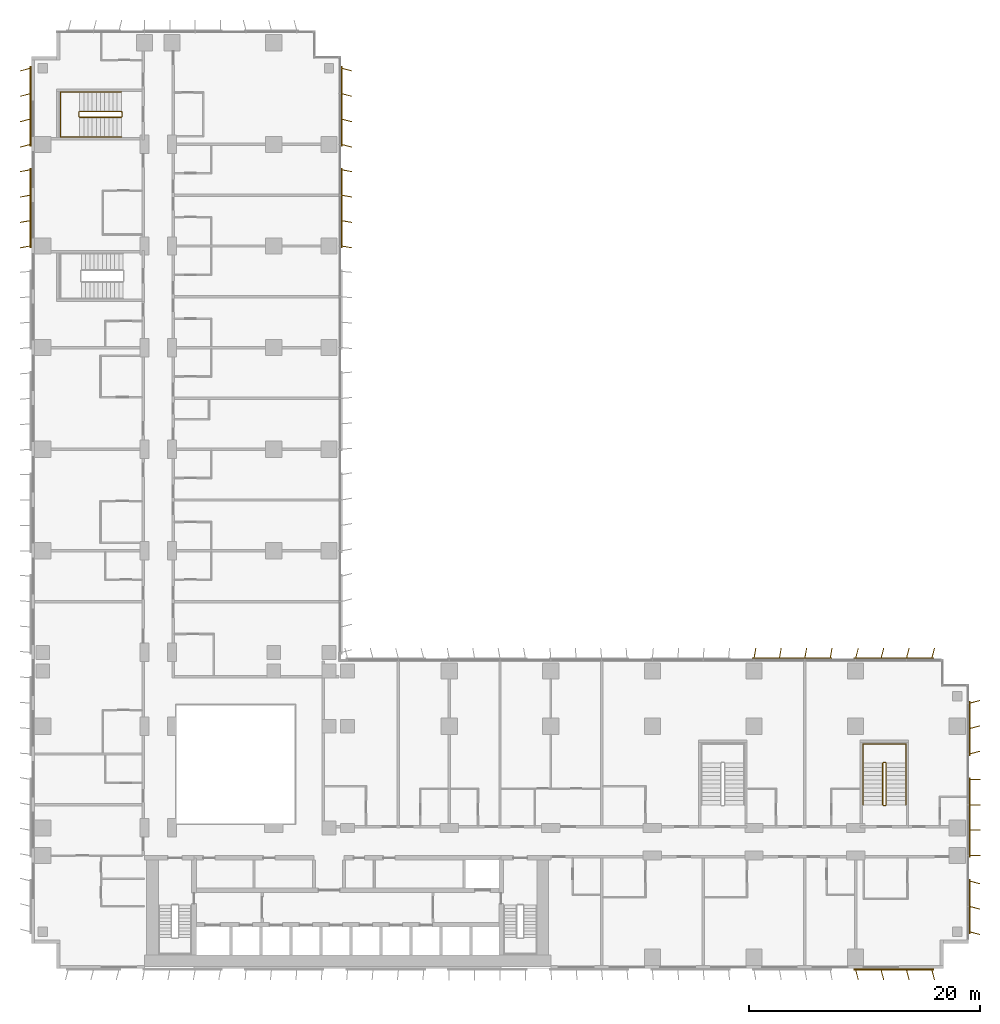
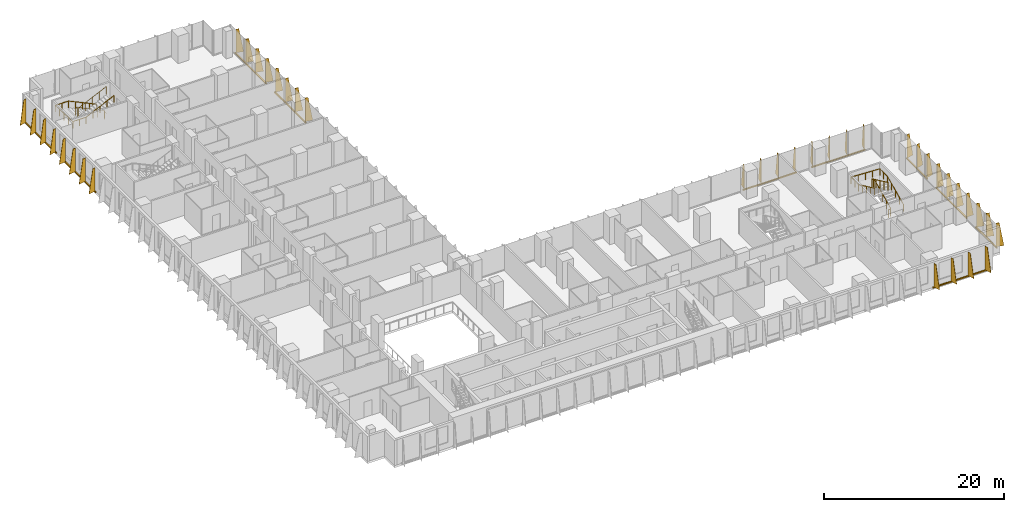
# One storey, part 23 of 24: 10 shading devices, 4 railings.
"""IFC4 building model written with IfcOpenShell, lengths in metres."""

from ifc_helpers import new_model, si_unit, direction, frame, origin, origin_2d, place, context, subcontext, project, spatial, polyline, rectangle, circle, outline, extrude, source, transform, mapped, material, layer, layer_set, type_object, element, save


model = new_model("IFC4")

# Units and contexts
model_context = context("Model", 3, precision=1e-05, world=origin(), true_north=direction((0.0, 1.0)))
body_context = subcontext(model_context, "Body", "Model", "MODEL_VIEW")
ifc_project = project(units=[si_unit("LENGTHUNIT", "METRE"), si_unit("AREAUNIT", "SQUARE_METRE"), si_unit("VOLUMEUNIT", "CUBIC_METRE"), si_unit("PLANEANGLEUNIT", "RADIAN"), si_unit("MASSUNIT", "GRAM", prefix="KILO")], contexts=[model_context])

# Site, building, storey
site_placement = place(None, origin())
site = spatial("IfcSite", under=ifc_project, at=site_placement, CompositionType="ELEMENT")
building_placement = place(site_placement, origin())
building = spatial("IfcBuilding", under=site, at=building_placement, Name="Kemantara Hotel Tower", CompositionType="ELEMENT")
storey_placement = place(building_placement, frame((0.0, 0.0, 56.199951171875)))
storey = spatial("IfcBuildingStorey", under=building, at=storey_placement, Name="L12", CompositionType="ELEMENT", Elevation=56.199951171875)

# Railings
ifc_material_1 = material(Name="Stainless steel balustrade", Category="steel")
railing_type_1 = type_object("IfcRailingType", Name="Stair guard 1100 mm", PredefinedType="GUARDRAIL", material=ifc_material_1)
railing_1_placement = place(storey_placement, frame((73.75, 14.199951171875, 3.699951171875)))
element("IfcRailing", 1, at=railing_1_placement, inside=storey, type_object=railing_type_1, Name="L12 ST5 stair guard 1", PredefinedType="GUARDRAIL", context=body_context, shape_type="SweptSolid", body=[
    extrude(circle(Radius=0.02392578125, at=origin_2d()), frame((0.0, 0.0, 1.076171875), z_axis=(0.0, 0.906029249863, -0.423215073447), x_axis=(-1.0, 0.0, 0.0)), (0.0, 0.0, 1.0), 3.973388671875),
    extrude(circle(Radius=0.02392578125, at=origin_2d()), frame((0.0, 3.60009765625, -0.60546875), z_axis=(0.274243871929, 0.274243871929, -0.92172696468), x_axis=(-0.707106781187, 0.707106781187, 0.0)), (0.0, 0.0, 1.0), 0.1826171875),
    extrude(circle(Radius=0.02392578125, at=origin_2d()), frame((0.050048828125, 3.650146484375, -0.77392578125), z_axis=(1.0, 0.0, 0.0), x_axis=(0.0, 1.0, 0.0)), (0.0, 0.0, 1.0), 0.199951171875),
    extrude(circle(Radius=0.02392578125, at=origin_2d()), frame((0.25, 3.650146484375, -0.77392578125), z_axis=(0.707106781187, -0.707106781187, 0.0), x_axis=(0.707106781187, 0.707106781187, 0.0)), (0.0, 0.0, 1.0), 0.07080078125),
    extrude(circle(Radius=0.02392578125, at=origin_2d()), frame((0.300048828125, 3.60009765625, -0.77392578125), z_axis=(0.0, -0.906005689286, -0.423265508849), x_axis=(1.0, 0.0, 0.0)), (0.0, 0.0, 1.0), 3.9736328125),
    extrude(circle(Radius=0.02392578125, at=origin_2d()), frame((0.300048828125, 0.0, -2.45556640625), z_axis=(-0.274243871929, -0.274243871929, -0.92172696468), x_axis=(0.707106781187, -0.707106781187, 0.0)), (0.0, 0.0, 1.0), 0.1826171875),
    extrude(circle(Radius=0.02392578125, at=origin_2d()), frame((0.25, -0.050048828125, -2.6240234375), z_axis=(-1.0, 0.0, 0.0), x_axis=(0.0, -1.0, 0.0)), (0.0, 0.0, 1.0), 0.199951171875),
    extrude(circle(Radius=0.02099609375, at=origin_2d()), origin(), (0.0, 0.0, 1.0), 1.052001953125),
    extrude(circle(Radius=0.02099609375, at=origin_2d()), frame((0.0, 0.89990234375, -0.42041015625)), (0.0, 0.0, 1.0), 1.052001953125),
    extrude(circle(Radius=0.02099609375, at=origin_2d()), frame((0.0, 1.800048828125, -0.8408203125)), (0.0, 0.0, 1.0), 1.052001953125),
    extrude(circle(Radius=0.02099609375, at=origin_2d()), frame((0.0, 2.7001953125, -1.26123046875)), (0.0, 0.0, 1.0), 1.052001953125),
    extrude(circle(Radius=0.02099609375, at=origin_2d()), frame((0.0, 3.60009765625, -1.681640625)), (0.0, 0.0, 1.0), 1.052001953125),
    extrude(circle(Radius=0.02099609375, at=origin_2d()), frame((0.050048828125, 3.650146484375, -1.849853515625)), (0.0, 0.0, 1.0), 1.052001953125),
    extrude(circle(Radius=0.02099609375, at=origin_2d()), frame((0.25, 3.650146484375, -1.849853515625)), (0.0, 0.0, 1.0), 1.052001953125),
    extrude(circle(Radius=0.02099609375, at=origin_2d()), frame((0.300048828125, 3.60009765625, -1.849853515625)), (0.0, 0.0, 1.0), 1.052001953125),
    extrude(circle(Radius=0.02099609375, at=origin_2d()), frame((0.300048828125, 2.7001953125, -2.270263671875)), (0.0, 0.0, 1.0), 1.052001953125),
    extrude(circle(Radius=0.02099609375, at=origin_2d()), frame((0.300048828125, 1.800048828125, -2.69091796875)), (0.0, 0.0, 1.0), 1.052001953125),
    extrude(circle(Radius=0.02099609375, at=origin_2d()), frame((0.300048828125, 0.89990234375, -3.111328125)), (0.0, 0.0, 1.0), 1.052001953125),
    extrude(circle(Radius=0.02099609375, at=origin_2d()), frame((0.300048828125, 0.0, -3.53173828125)), (0.0, 0.0, 1.0), 1.052001953125),
    extrude(circle(Radius=0.02099609375, at=origin_2d()), frame((0.25, -0.050048828125, -3.699951171875)), (0.0, 0.0, 1.0), 1.052001953125),
    extrude(circle(Radius=0.02099609375, at=origin_2d()), frame((0.050048828125, -0.050048828125, -3.699951171875)), (0.0, 0.0, 1.0), 1.052001953125),
])
railing_2_placement = place(storey_placement, frame((7.800048828125, 73.75, 3.699951171875)))
element("IfcRailing", 2, at=railing_2_placement, inside=storey, type_object=railing_type_1, Name="L12 ST6 stair guard 1", PredefinedType="GUARDRAIL", context=body_context, shape_type="SweptSolid", body=[
    extrude(circle(Radius=0.02392578125, at=origin_2d()), frame((0.0, 0.0, 1.076171875), z_axis=(-0.906029249863, 0.0, -0.423215073447), x_axis=(0.0, -1.0, 0.0)), (0.0, 0.0, 1.0), 3.973388671875),
    extrude(circle(Radius=0.02392578125, at=origin_2d()), frame((-3.60009765625, 0.0, -0.60546875), z_axis=(-0.274243871929, 0.274243871929, -0.92172696468), x_axis=(-0.707106781187, -0.707106781187, 0.0)), (0.0, 0.0, 1.0), 0.1826171875),
    extrude(circle(Radius=0.02392578125, at=origin_2d()), frame((-3.650146484375, 0.050048828125, -0.77392578125), z_axis=(0.0, 1.0, 0.0), x_axis=(-1.0, 0.0, 0.0)), (0.0, 0.0, 1.0), 0.39990234375),
    extrude(circle(Radius=0.02392578125, at=origin_2d()), frame((-3.650146484375, 0.449951171875, -0.77392578125), z_axis=(0.707106781187, 0.707106781187, 0.0), x_axis=(-0.707106781187, 0.707106781187, 0.0)), (0.0, 0.0, 1.0), 0.07080078125),
    extrude(circle(Radius=0.02392578125, at=origin_2d()), frame((-3.60009765625, 0.5, -0.77392578125), z_axis=(0.906005689286, 0.0, -0.423265508849), x_axis=(0.0, 1.0, 0.0)), (0.0, 0.0, 1.0), 3.9736328125),
    extrude(circle(Radius=0.02392578125, at=origin_2d()), frame((0.0, 0.5, -2.45556640625), z_axis=(0.274243871929, -0.274243871929, -0.92172696468), x_axis=(0.707106781187, 0.707106781187, 0.0)), (0.0, 0.0, 1.0), 0.1826171875),
    extrude(circle(Radius=0.02392578125, at=origin_2d()), frame((0.050048828125, 0.449951171875, -2.6240234375), z_axis=(0.0, -1.0, 0.0), x_axis=(1.0, 0.0, 0.0)), (0.0, 0.0, 1.0), 0.39990234375),
    extrude(circle(Radius=0.02099609375, at=origin_2d()), origin(), (0.0, 0.0, 1.0), 1.052001953125),
    extrude(circle(Radius=0.02099609375, at=origin_2d()), frame((-0.89990234375, 0.0, -0.42041015625)), (0.0, 0.0, 1.0), 1.052001953125),
    extrude(circle(Radius=0.02099609375, at=origin_2d()), frame((-1.800048828125, 0.0, -0.8408203125)), (0.0, 0.0, 1.0), 1.052001953125),
    extrude(circle(Radius=0.02099609375, at=origin_2d()), frame((-2.7001953125, 0.0, -1.26123046875)), (0.0, 0.0, 1.0), 1.052001953125),
    extrude(circle(Radius=0.02099609375, at=origin_2d()), frame((-3.60009765625, 0.0, -1.681640625)), (0.0, 0.0, 1.0), 1.052001953125),
    extrude(circle(Radius=0.02099609375, at=origin_2d()), frame((-3.650146484375, 0.050048828125, -1.849853515625)), (0.0, 0.0, 1.0), 1.052001953125),
    extrude(circle(Radius=0.02099609375, at=origin_2d()), frame((-3.650146484375, 0.449951171875, -1.849853515625)), (0.0, 0.0, 1.0), 1.052001953125),
    extrude(circle(Radius=0.02099609375, at=origin_2d()), frame((-3.60009765625, 0.5, -1.849853515625)), (0.0, 0.0, 1.0), 1.052001953125),
    extrude(circle(Radius=0.02099609375, at=origin_2d()), frame((-2.7001953125, 0.5, -2.270263671875)), (0.0, 0.0, 1.0), 1.052001953125),
    extrude(circle(Radius=0.02099609375, at=origin_2d()), frame((-1.800048828125, 0.5, -2.69091796875)), (0.0, 0.0, 1.0), 1.052001953125),
    extrude(circle(Radius=0.02099609375, at=origin_2d()), frame((-0.89990234375, 0.5, -3.111328125)), (0.0, 0.0, 1.0), 1.052001953125),
    extrude(circle(Radius=0.02099609375, at=origin_2d()), frame((0.0, 0.5, -3.53173828125)), (0.0, 0.0, 1.0), 1.052001953125),
    extrude(circle(Radius=0.02099609375, at=origin_2d()), frame((0.050048828125, 0.449951171875, -3.699951171875)), (0.0, 0.0, 1.0), 1.052001953125),
    extrude(circle(Radius=0.02099609375, at=origin_2d()), frame((0.050048828125, 0.050048828125, -3.699951171875)), (0.0, 0.0, 1.0), 1.052001953125),
])
railing_type_2 = type_object("IfcRailingType", Name="Stair handrail 900 mm", PredefinedType="HANDRAIL", material=ifc_material_1)
railing_3_placement = place(storey_placement, frame((75.75, 14.199951171875, 0.168212890625)))
element("IfcRailing", 3, at=railing_3_placement, inside=storey, type_object=railing_type_2, Name="L12 ST5 stair handrail 1", PredefinedType="HANDRAIL", context=body_context, shape_type="SweptSolid", body=[
    extrude(circle(Radius=0.02392578125, at=origin_2d()), frame((0.0, 0.0, 0.8759765625), z_axis=(0.0, 0.906005689286, 0.423265508849), x_axis=(-1.0, 0.0, 0.0)), (0.0, 0.0, 1.0), 3.9736328125),
    extrude(circle(Radius=0.02392578125, at=origin_2d()), frame((0.0, 3.60009765625, 2.5576171875), z_axis=(0.0, 1.0, 0.0), x_axis=(-1.0, 0.0, 0.0)), (0.0, 0.0, 1.0), 1.679931640625),
    extrude(circle(Radius=0.02392578125, at=origin_2d()), frame((0.0, 5.280029296875, 2.5576171875), z_axis=(-0.998968132438, 0.0, 0.045416631029), x_axis=(0.0, -1.0, 0.0)), (0.0, 0.0, 1.0), 3.703857421875),
    extrude(circle(Radius=0.02392578125, at=origin_2d()), frame((-3.699951171875, 5.280029296875, 2.72607421875), z_axis=(0.0, -1.0, 0.0), x_axis=(1.0, 0.0, 0.0)), (0.0, 0.0, 1.0), 1.679931640625),
    extrude(circle(Radius=0.02392578125, at=origin_2d()), frame((-3.699951171875, 3.60009765625, 2.72607421875), z_axis=(0.0, -0.906029249863, 0.423215073447), x_axis=(1.0, 0.0, 0.0)), (0.0, 0.0, 1.0), 3.973388671875),
    extrude(circle(Radius=0.02099609375, at=origin_2d()), origin(), (0.0, 0.0, 1.0), 0.851806640625),
    extrude(circle(Radius=0.02099609375, at=origin_2d()), frame((0.0, 0.89990234375, 0.42041015625)), (0.0, 0.0, 1.0), 0.851806640625),
    extrude(circle(Radius=0.02099609375, at=origin_2d()), frame((0.0, 1.800048828125, 0.8408203125)), (0.0, 0.0, 1.0), 0.851806640625),
    extrude(circle(Radius=0.02099609375, at=origin_2d()), frame((0.0, 2.7001953125, 1.261474609375)), (0.0, 0.0, 1.0), 0.851806640625),
    extrude(circle(Radius=0.02099609375, at=origin_2d()), frame((0.0, 3.60009765625, 1.681884765625)), (0.0, 0.0, 1.0), 0.851806640625),
    extrude(circle(Radius=0.02099609375, at=origin_2d()), frame((0.0, 4.43994140625, 1.681884765625)), (0.0, 0.0, 1.0), 0.851806640625),
    extrude(circle(Radius=0.02099609375, at=origin_2d()), frame((0.0, 5.280029296875, 1.681884765625)), (0.0, 0.0, 1.0), 0.851806640625),
    extrude(circle(Radius=0.02099609375, at=origin_2d()), frame((-0.925048828125, 5.280029296875, 1.723876953125)), (0.0, 0.0, 1.0), 0.851806640625),
    extrude(circle(Radius=0.02099609375, at=origin_2d()), frame((-1.85009765625, 5.280029296875, 1.76611328125)), (0.0, 0.0, 1.0), 0.851806640625),
    extrude(circle(Radius=0.02099609375, at=origin_2d()), frame((-2.77490234375, 5.280029296875, 1.80810546875)), (0.0, 0.0, 1.0), 0.851806640625),
    extrude(circle(Radius=0.02099609375, at=origin_2d()), frame((-3.699951171875, 5.280029296875, 1.85009765625)), (0.0, 0.0, 1.0), 0.851806640625),
    extrude(circle(Radius=0.02099609375, at=origin_2d()), frame((-3.699951171875, 4.43994140625, 1.85009765625)), (0.0, 0.0, 1.0), 0.851806640625),
    extrude(circle(Radius=0.02099609375, at=origin_2d()), frame((-3.699951171875, 3.60009765625, 1.85009765625)), (0.0, 0.0, 1.0), 0.851806640625),
    extrude(circle(Radius=0.02099609375, at=origin_2d()), frame((-3.699951171875, 2.7001953125, 2.2705078125)), (0.0, 0.0, 1.0), 0.851806640625),
    extrude(circle(Radius=0.02099609375, at=origin_2d()), frame((-3.699951171875, 1.800048828125, 2.69091796875)), (0.0, 0.0, 1.0), 0.851806640625),
    extrude(circle(Radius=0.02099609375, at=origin_2d()), frame((-3.699951171875, 0.89990234375, 3.111328125)), (0.0, 0.0, 1.0), 0.851806640625),
    extrude(circle(Radius=0.02099609375, at=origin_2d()), frame((-3.699951171875, 0.0, 3.53173828125)), (0.0, 0.0, 1.0), 0.851806640625),
])
railing_4_placement = place(storey_placement, frame((7.800048828125, 75.949951171875, 0.168212890625)))
element("IfcRailing", 4, at=railing_4_placement, inside=storey, type_object=railing_type_2, Name="L12 ST6 stair handrail 1", PredefinedType="HANDRAIL", context=body_context, shape_type="SweptSolid", body=[
    extrude(circle(Radius=0.02392578125, at=origin_2d()), frame((0.0, 0.0, 0.8759765625), z_axis=(-0.906005689286, 0.0, 0.423265508849), x_axis=(0.0, -1.0, 0.0)), (0.0, 0.0, 1.0), 3.9736328125),
    extrude(circle(Radius=0.02392578125, at=origin_2d()), frame((-3.60009765625, 0.0, 2.5576171875), z_axis=(-1.0, 0.0, 0.0), x_axis=(0.0, -1.0, 0.0)), (0.0, 0.0, 1.0), 1.679931640625),
    extrude(circle(Radius=0.02392578125, at=origin_2d()), frame((-5.280029296875, 0.0, 2.5576171875), z_axis=(0.0, -0.999071085748, 0.043092523981), x_axis=(1.0, 0.0, 0.0)), (0.0, 0.0, 1.0), 3.903564453125),
    extrude(circle(Radius=0.02392578125, at=origin_2d()), frame((-5.280029296875, -3.89990234375, 2.72607421875), z_axis=(1.0, 0.0, 0.0), x_axis=(0.0, 1.0, 0.0)), (0.0, 0.0, 1.0), 1.679931640625),
    extrude(circle(Radius=0.02392578125, at=origin_2d()), frame((-3.60009765625, -3.89990234375, 2.72607421875), z_axis=(0.906029249863, 0.0, 0.423215073447), x_axis=(0.0, 1.0, 0.0)), (0.0, 0.0, 1.0), 3.973388671875),
    extrude(circle(Radius=0.02099609375, at=origin_2d()), origin(), (0.0, 0.0, 1.0), 0.851806640625),
    extrude(circle(Radius=0.02099609375, at=origin_2d()), frame((-0.89990234375, 0.0, 0.42041015625)), (0.0, 0.0, 1.0), 0.851806640625),
    extrude(circle(Radius=0.02099609375, at=origin_2d()), frame((-1.800048828125, 0.0, 0.8408203125)), (0.0, 0.0, 1.0), 0.851806640625),
    extrude(circle(Radius=0.02099609375, at=origin_2d()), frame((-2.7001953125, 0.0, 1.261474609375)), (0.0, 0.0, 1.0), 0.851806640625),
    extrude(circle(Radius=0.02099609375, at=origin_2d()), frame((-3.60009765625, 0.0, 1.681884765625)), (0.0, 0.0, 1.0), 0.851806640625),
    extrude(circle(Radius=0.02099609375, at=origin_2d()), frame((-4.43994140625, 0.0, 1.681884765625)), (0.0, 0.0, 1.0), 0.851806640625),
    extrude(circle(Radius=0.02099609375, at=origin_2d()), frame((-5.280029296875, 0.0, 1.681884765625)), (0.0, 0.0, 1.0), 0.851806640625),
    extrude(circle(Radius=0.02099609375, at=origin_2d()), frame((-5.280029296875, -0.97509765625, 1.723876953125)), (0.0, 0.0, 1.0), 0.851806640625),
    extrude(circle(Radius=0.02099609375, at=origin_2d()), frame((-5.280029296875, -1.949951171875, 1.76611328125)), (0.0, 0.0, 1.0), 0.851806640625),
    extrude(circle(Radius=0.02099609375, at=origin_2d()), frame((-5.280029296875, -2.9248046875, 1.80810546875)), (0.0, 0.0, 1.0), 0.851806640625),
    extrude(circle(Radius=0.02099609375, at=origin_2d()), frame((-5.280029296875, -3.89990234375, 1.85009765625)), (0.0, 0.0, 1.0), 0.851806640625),
    extrude(circle(Radius=0.02099609375, at=origin_2d()), frame((-4.43994140625, -3.89990234375, 1.85009765625)), (0.0, 0.0, 1.0), 0.851806640625),
    extrude(circle(Radius=0.02099609375, at=origin_2d()), frame((-3.60009765625, -3.89990234375, 1.85009765625)), (0.0, 0.0, 1.0), 0.851806640625),
    extrude(circle(Radius=0.02099609375, at=origin_2d()), frame((-2.7001953125, -3.89990234375, 2.2705078125)), (0.0, 0.0, 1.0), 0.851806640625),
    extrude(circle(Radius=0.02099609375, at=origin_2d()), frame((-1.800048828125, -3.89990234375, 2.69091796875)), (0.0, 0.0, 1.0), 0.851806640625),
    extrude(circle(Radius=0.02099609375, at=origin_2d()), frame((-0.89990234375, -3.89990234375, 3.111328125)), (0.0, 0.0, 1.0), 0.851806640625),
    extrude(circle(Radius=0.02099609375, at=origin_2d()), frame((0.0, -3.89990234375, 3.53173828125)), (0.0, 0.0, 1.0), 0.851806640625),
])

# Shading devices
ifc_material_2 = material(Name="Perforated aluminium plate 4 mm bronze anodised", Category="aluminium")
ifc_layer_1 = layer(ifc_material_2, 0.0400390625)
ifc_layer_set_1 = layer_set([ifc_layer_1], Name="Perforated aluminium plate 4 mm bronze anodised")
shading_device_type_1 = type_object("IfcShadingDeviceType", Name="SCREEN FIN CASSETTE, 3 BLADES AT -15.0 DEG, 3200 HIGH", PredefinedType="USERDEFINED", material=ifc_layer_set_1)
shared_shape_1 = source(origin(), body_context, "Body", "SweptSolid", [
    extrude(rectangle(XDim=4.699951171875, YDim=0.14990234375, at=origin_2d()), frame((2.199951171875, -0.074951171875, -0.14990234375), z_axis=(0.0, 0.0, 1.0), x_axis=(1.0, 0.0, 0.0)), (0.0, 0.0, 1.0), 0.14990234375),
    extrude(outline(polyline([(0.0, 0.0), (0.89990234375, 0.0), (0.35009765625, 3.199951171875), (0.0, 3.199951171875), (0.0, 0.0)])), frame((0.019287109375, -0.080078125, 0.0), z_axis=(-0.966437683387, 0.256901156343, 0.0), x_axis=(-0.256901156343, -0.966437683387, 0.0)), (0.0, 0.0, 1.0), 0.039794921875),
    extrude(outline(polyline([(0.0, 0.0), (0.89990234375, 0.0), (0.35009765625, 3.199951171875), (0.0, 3.199951171875), (0.0, 0.0)])), frame((2.21923828125, -0.080078125, 0.0), z_axis=(-0.966437683387, 0.256901156343, 0.0), x_axis=(-0.256901156343, -0.966437683387, 0.0)), (0.0, 0.0, 1.0), 0.039794921875),
    extrude(outline(polyline([(0.0, 0.0), (0.89990234375, 0.0), (0.35009765625, 3.199951171875), (0.0, 3.199951171875), (0.0, 0.0)])), frame((4.41943359375, -0.080078125, 0.0), z_axis=(-0.966837822169, 0.255391122837, 0.0), x_axis=(-0.255391122837, -0.966837822169, 0.0)), (0.0, 0.0, 1.0), 0.0400390625),
])
shading_device_1_placement = place(storey_placement, frame((81.199951171875, 3.199951171875, 0.10009765625), z_axis=(0.0, 0.0, 1.0), x_axis=(0.0, 1.0, 0.0)))
element("IfcShadingDevice", 5, at=shading_device_1_placement, inside=storey, type_object=shading_device_type_1, Name="SCREEN FIN CASSETTE L12 T1-R04-1", ObjectType="SCREEN FIN", PredefinedType="USERDEFINED", context=body_context, shape_type="MappedRepresentation", body=[
    mapped(shared_shape_1, transform((0.0, 0.0, 0.0))),
])
ifc_layer_2 = layer(ifc_material_2, 0.0400390625)
ifc_layer_set_2 = layer_set([ifc_layer_2], Name="Perforated aluminium plate 4 mm bronze anodised")
shading_device_type_2 = type_object("IfcShadingDeviceType", Name="SCREEN FIN CASSETTE, 4 BLADES AT -10.0 DEG, 3200 HIGH", PredefinedType="USERDEFINED", material=ifc_layer_set_2)
shared_shape_2 = source(origin(), body_context, "Body", "SweptSolid", [
    extrude(rectangle(XDim=6.89990234375, YDim=0.14990234375, at=origin_2d()), frame((3.300048828125, -0.074951171875, -0.14990234375), z_axis=(0.0, 0.0, 1.0), x_axis=(1.0, 0.0, 0.0)), (0.0, 0.0, 1.0), 0.14990234375),
    extrude(outline(polyline([(0.0, 0.0), (0.89990234375, 0.0), (0.35009765625, 3.199951171875), (0.0, 3.199951171875), (0.0, 0.0)])), frame((0.019775390625, -0.078369140625, 0.0), z_axis=(-0.985389793052, 0.170314285219, 0.0), x_axis=(-0.170314285219, -0.985389793052, 0.0)), (0.0, 0.0, 1.0), 0.0400390625),
    extrude(outline(polyline([(0.0, 0.0), (0.89990234375, 0.0), (0.35009765625, 3.199951171875), (0.0, 3.199951171875), (0.0, 0.0)])), frame((2.2197265625, -0.078369140625, 0.0), z_axis=(-0.98521175482, 0.171341174751, 0.0), x_axis=(-0.171341174751, -0.98521175482, 0.0)), (0.0, 0.0, 1.0), 0.039794921875),
    extrude(outline(polyline([(0.0, 0.0), (0.89990234375, 0.0), (0.35009765625, 3.199951171875), (0.0, 3.199951171875), (0.0, 0.0)])), frame((4.419677734375, -0.078369140625, 0.0), z_axis=(-0.98521175482, 0.171341174751, 0.0), x_axis=(-0.171341174751, -0.98521175482, 0.0)), (0.0, 0.0, 1.0), 0.039794921875),
    extrude(outline(polyline([(0.0, 0.0), (0.89990234375, 0.0), (0.35009765625, 3.199951171875), (0.0, 3.199951171875), (0.0, 0.0)])), frame((6.61962890625, -0.078369140625, 0.0), z_axis=(-0.98521175482, 0.171341174751, 0.0), x_axis=(-0.171341174751, -0.98521175482, 0.0)), (0.0, 0.0, 1.0), 0.039794921875),
])
for number, where, z_axis, x_axis, name in (
    (6, (69.199951171875, 26.800048828125, 0.10009765625), (0.0, 0.0, 1.0), (-1.0, 0.0, 0.0), "SCREEN FIN CASSETTE L12 T1-R07-2"),
    (7, (26.800048828125, 62.60009765625, 0.10009765625), (0.0, 0.0, 1.0), (0.0, 1.0, 0.0), "SCREEN FIN CASSETTE L12 T1-R08-5"),
):
    element("IfcShadingDevice", number, at=place(storey_placement, frame(where, z_axis=z_axis, x_axis=x_axis)), inside=storey, type_object=shading_device_type_2, Name=name, ObjectType="SCREEN FIN", PredefinedType="USERDEFINED", context=body_context, shape_type="MappedRepresentation", body=[
        mapped(shared_shape_2, transform((0.0, 0.0, 0.0))),
    ])
ifc_layer_3 = layer(ifc_material_2, 0.0400390625)
ifc_layer_set_3 = layer_set([ifc_layer_3], Name="Perforated aluminium plate 4 mm bronze anodised")
shading_device_type_3 = type_object("IfcShadingDeviceType", Name="SCREEN FIN CASSETTE, 4 BLADES AT +0.0 DEG, 3200 HIGH", PredefinedType="USERDEFINED", material=ifc_layer_set_3)
shared_shape_3 = source(origin(), body_context, "Body", "SweptSolid", [
    extrude(rectangle(XDim=6.89990234375, YDim=0.14990234375, at=origin_2d()), frame((3.300048828125, -0.074951171875, -0.14990234375), z_axis=(0.0, 0.0, 1.0), x_axis=(1.0, 0.0, 0.0)), (0.0, 0.0, 1.0), 0.14990234375),
    extrude(outline(polyline([(0.0, 0.0), (0.89990234375, 0.0), (0.35009765625, 3.199951171875), (0.0, 3.199951171875), (0.0, 0.0)])), frame((0.02001953125, -0.074951171875, 0.0), z_axis=(-1.0, 0.0, 0.0), x_axis=(0.0, -1.0, 0.0)), (0.0, 0.0, 1.0), 0.0400390625),
    extrude(outline(polyline([(0.0, 0.0), (0.89990234375, 0.0), (0.35009765625, 3.199951171875), (0.0, 3.199951171875), (0.0, 0.0)])), frame((2.219970703125, -0.074951171875, 0.0), z_axis=(-1.0, 0.0, 0.0), x_axis=(0.0, -1.0, 0.0)), (0.0, 0.0, 1.0), 0.0400390625),
    extrude(outline(polyline([(0.0, 0.0), (0.89990234375, 0.0), (0.35009765625, 3.199951171875), (0.0, 3.199951171875), (0.0, 0.0)])), frame((4.419921875, -0.074951171875, 0.0), z_axis=(-1.0, 0.0, 0.0), x_axis=(0.0, -1.0, 0.0)), (0.0, 0.0, 1.0), 0.0400390625),
    extrude(outline(polyline([(0.0, 0.0), (0.89990234375, 0.0), (0.35009765625, 3.199951171875), (0.0, 3.199951171875), (0.0, 0.0)])), frame((6.6201171875, -0.074951171875, 0.0), z_axis=(-1.0, 0.0, 0.0), x_axis=(0.0, -1.0, 0.0)), (0.0, 0.0, 1.0), 0.0400390625),
])
shading_device_2_placement = place(storey_placement, frame((81.199951171875, 9.800048828125, 0.10009765625), z_axis=(0.0, 0.0, 1.0), x_axis=(0.0, 1.0, 0.0)))
element("IfcShadingDevice", 8, at=shading_device_2_placement, inside=storey, type_object=shading_device_type_3, Name="SCREEN FIN CASSETTE L12 T1-R04-2", ObjectType="SCREEN FIN", PredefinedType="USERDEFINED", context=body_context, shape_type="MappedRepresentation", body=[
    mapped(shared_shape_3, transform((0.0, 0.0, 0.0))),
])
ifc_layer_4 = layer(ifc_material_2, 0.0400390625)
ifc_layer_set_4 = layer_set([ifc_layer_4], Name="Perforated aluminium plate 4 mm bronze anodised")
shading_device_type_4 = type_object("IfcShadingDeviceType", Name="SCREEN FIN CASSETTE, 4 BLADES AT +10.0 DEG, 3200 HIGH", PredefinedType="USERDEFINED", material=ifc_layer_set_4)
shared_shape_4 = source(origin(), body_context, "Body", "SweptSolid", [
    extrude(rectangle(XDim=6.89990234375, YDim=0.14990234375, at=origin_2d()), frame((3.300048828125, -0.074951171875, -0.14990234375), z_axis=(0.0, 0.0, 1.0), x_axis=(1.0, 0.0, 0.0)), (0.0, 0.0, 1.0), 0.14990234375),
    extrude(outline(polyline([(0.0, 0.0), (0.89990234375, 0.0), (0.35009765625, 3.199951171875), (0.0, 3.199951171875), (0.0, 0.0)])), frame((0.019775390625, -0.071533203125, 0.0), z_axis=(-0.985389793052, -0.170314285219, 0.0), x_axis=(0.170314285219, -0.985389793052, 0.0)), (0.0, 0.0, 1.0), 0.0400390625),
    extrude(outline(polyline([(0.0, 0.0), (0.89990234375, 0.0), (0.35009765625, 3.199951171875), (0.0, 3.199951171875), (0.0, 0.0)])), frame((2.2197265625, -0.071533203125, 0.0), z_axis=(-0.98521175482, -0.171341174751, 0.0), x_axis=(0.171341174751, -0.98521175482, 0.0)), (0.0, 0.0, 1.0), 0.039794921875),
    extrude(outline(polyline([(0.0, 0.0), (0.89990234375, 0.0), (0.35009765625, 3.199951171875), (0.0, 3.199951171875), (0.0, 0.0)])), frame((4.419677734375, -0.071533203125, 0.0), z_axis=(-0.98521175482, -0.171341174751, 0.0), x_axis=(0.171341174751, -0.98521175482, 0.0)), (0.0, 0.0, 1.0), 0.039794921875),
    extrude(outline(polyline([(0.0, 0.0), (0.89990234375, 0.0), (0.35009765625, 3.199951171875), (0.0, 3.199951171875), (0.0, 0.0)])), frame((6.61962890625, -0.071533203125, 0.0), z_axis=(-0.98521175482, -0.171341174751, 0.0), x_axis=(0.171341174751, -0.98521175482, 0.0)), (0.0, 0.0, 1.0), 0.039794921875),
])
shading_device_3_placement = place(storey_placement, frame((0.0, 69.199951171875, 0.10009765625), z_axis=(0.0, 0.0, 1.0), x_axis=(0.0, -1.0, 0.0)))
element("IfcShadingDevice", 9, at=shading_device_3_placement, inside=storey, type_object=shading_device_type_4, Name="SCREEN FIN CASSETTE L12 T1-R14-2", ObjectType="SCREEN FIN", PredefinedType="USERDEFINED", context=body_context, shape_type="MappedRepresentation", body=[
    mapped(shared_shape_4, transform((0.0, 0.0, 0.0))),
])
ifc_layer_5 = layer(ifc_material_2, 0.0400390625)
ifc_layer_set_5 = layer_set([ifc_layer_5], Name="Perforated aluminium plate 4 mm bronze anodised")
shading_device_type_5 = type_object("IfcShadingDeviceType", Name="SCREEN FIN CASSETTE, 4 BLADES AT +15.0 DEG, 3200 HIGH", PredefinedType="USERDEFINED", material=ifc_layer_set_5)
shared_shape_5 = source(origin(), body_context, "Body", "SweptSolid", [
    extrude(rectangle(XDim=6.89990234375, YDim=0.14990234375, at=origin_2d()), frame((3.300048828125, -0.074951171875, -0.14990234375), z_axis=(0.0, 0.0, 1.0), x_axis=(1.0, 0.0, 0.0)), (0.0, 0.0, 1.0), 0.14990234375),
    extrude(outline(polyline([(0.0, 0.0), (0.89990234375, 0.0), (0.35009765625, 3.199951171875), (0.0, 3.199951171875), (0.0, 0.0)])), frame((0.019287109375, -0.06982421875, 0.0), z_axis=(-0.966437683387, -0.256901156343, 0.0), x_axis=(0.256901156343, -0.966437683387, 0.0)), (0.0, 0.0, 1.0), 0.039794921875),
    extrude(outline(polyline([(0.0, 0.0), (0.89990234375, 0.0), (0.35009765625, 3.199951171875), (0.0, 3.199951171875), (0.0, 0.0)])), frame((2.21923828125, -0.06982421875, 0.0), z_axis=(-0.966437683387, -0.256901156343, 0.0), x_axis=(0.256901156343, -0.966437683387, 0.0)), (0.0, 0.0, 1.0), 0.039794921875),
    extrude(outline(polyline([(0.0, 0.0), (0.89990234375, 0.0), (0.35009765625, 3.199951171875), (0.0, 3.199951171875), (0.0, 0.0)])), frame((4.41943359375, -0.06982421875, 0.0), z_axis=(-0.966837822169, -0.255391122837, 0.0), x_axis=(0.255391122837, -0.966837822169, 0.0)), (0.0, 0.0, 1.0), 0.0400390625),
    extrude(outline(polyline([(0.0, 0.0), (0.89990234375, 0.0), (0.35009765625, 3.199951171875), (0.0, 3.199951171875), (0.0, 0.0)])), frame((6.619384765625, -0.06982421875, 0.0), z_axis=(-0.966837822169, -0.255391122837, 0.0), x_axis=(0.255391122837, -0.966837822169, 0.0)), (0.0, 0.0, 1.0), 0.0400390625),
])
for number, where, z_axis, x_axis, name in (
    (10, (71.39990234375, 0.0, 0.10009765625), (0.0, 0.0, 1.0), (1.0, 0.0, 0.0), "SCREEN FIN CASSETTE L12 T1-R01-9"),
    (11, (0.0, 78.0, 0.10009765625), (0.0, 0.0, 1.0), (0.0, -1.0, 0.0), "SCREEN FIN CASSETTE L12 T1-R14-1"),
):
    element("IfcShadingDevice", number, at=place(storey_placement, frame(where, z_axis=z_axis, x_axis=x_axis)), inside=storey, type_object=shading_device_type_5, Name=name, ObjectType="SCREEN FIN", PredefinedType="USERDEFINED", context=body_context, shape_type="MappedRepresentation", body=[
        mapped(shared_shape_5, transform((0.0, 0.0, 0.0))),
    ])
ifc_layer_6 = layer(ifc_material_2, 0.0400390625)
ifc_layer_set_6 = layer_set([ifc_layer_6], Name="Perforated aluminium plate 4 mm bronze anodised")
shading_device_type_6 = type_object("IfcShadingDeviceType", Name="SCREEN FIN CASSETTE, 3 BLADES AT +15.0 DEG, 3200 HIGH", PredefinedType="USERDEFINED", material=ifc_layer_set_6)
shared_shape_6 = source(origin(), body_context, "Body", "SweptSolid", [
    extrude(rectangle(XDim=4.699951171875, YDim=0.14990234375, at=origin_2d()), frame((2.199951171875, -0.074951171875, -0.14990234375), z_axis=(0.0, 0.0, 1.0), x_axis=(1.0, 0.0, 0.0)), (0.0, 0.0, 1.0), 0.14990234375),
    extrude(outline(polyline([(0.0, 0.0), (0.89990234375, 0.0), (0.35009765625, 3.199951171875), (0.0, 3.199951171875), (0.0, 0.0)])), frame((0.019287109375, -0.06982421875, 0.0), z_axis=(-0.966437683387, -0.256901156343, 0.0), x_axis=(0.256901156343, -0.966437683387, 0.0)), (0.0, 0.0, 1.0), 0.039794921875),
    extrude(outline(polyline([(0.0, 0.0), (0.89990234375, 0.0), (0.35009765625, 3.199951171875), (0.0, 3.199951171875), (0.0, 0.0)])), frame((2.21923828125, -0.06982421875, 0.0), z_axis=(-0.966437683387, -0.256901156343, 0.0), x_axis=(0.256901156343, -0.966437683387, 0.0)), (0.0, 0.0, 1.0), 0.039794921875),
    extrude(outline(polyline([(0.0, 0.0), (0.89990234375, 0.0), (0.35009765625, 3.199951171875), (0.0, 3.199951171875), (0.0, 0.0)])), frame((4.41943359375, -0.06982421875, 0.0), z_axis=(-0.966837822169, -0.255391122837, 0.0), x_axis=(0.255391122837, -0.966837822169, 0.0)), (0.0, 0.0, 1.0), 0.0400390625),
])
shading_device_4_placement = place(storey_placement, frame((81.199951171875, 18.60009765625, 0.10009765625), z_axis=(0.0, 0.0, 1.0), x_axis=(0.0, 1.0, 0.0)))
element("IfcShadingDevice", 12, at=shading_device_4_placement, inside=storey, type_object=shading_device_type_6, Name="SCREEN FIN CASSETTE L12 T1-R04-3", ObjectType="SCREEN FIN", PredefinedType="USERDEFINED", context=body_context, shape_type="MappedRepresentation", body=[
    mapped(shared_shape_6, transform((0.0, 0.0, 0.0))),
])
ifc_layer_7 = layer(ifc_material_2, 0.0400390625)
ifc_layer_set_7 = layer_set([ifc_layer_7], Name="Perforated aluminium plate 4 mm bronze anodised")
shading_device_type_7 = type_object("IfcShadingDeviceType", Name="SCREEN FIN CASSETTE, 4 BLADES AT -15.0 DEG, 3200 HIGH", PredefinedType="USERDEFINED", material=ifc_layer_set_7)
shared_shape_7 = source(origin(), body_context, "Body", "SweptSolid", [
    extrude(rectangle(XDim=6.89990234375, YDim=0.14990234375, at=origin_2d()), frame((3.300048828125, -0.074951171875, -0.14990234375), z_axis=(0.0, 0.0, 1.0), x_axis=(1.0, 0.0, 0.0)), (0.0, 0.0, 1.0), 0.14990234375),
    extrude(outline(polyline([(0.0, 0.0), (0.89990234375, 0.0), (0.35009765625, 3.199951171875), (0.0, 3.199951171875), (0.0, 0.0)])), frame((0.019287109375, -0.080078125, 0.0), z_axis=(-0.966437683387, 0.256901156343, 0.0), x_axis=(-0.256901156343, -0.966437683387, 0.0)), (0.0, 0.0, 1.0), 0.039794921875),
    extrude(outline(polyline([(0.0, 0.0), (0.89990234375, 0.0), (0.35009765625, 3.199951171875), (0.0, 3.199951171875), (0.0, 0.0)])), frame((2.21923828125, -0.080078125, 0.0), z_axis=(-0.966437683387, 0.256901156343, 0.0), x_axis=(-0.256901156343, -0.966437683387, 0.0)), (0.0, 0.0, 1.0), 0.039794921875),
    extrude(outline(polyline([(0.0, 0.0), (0.89990234375, 0.0), (0.35009765625, 3.199951171875), (0.0, 3.199951171875), (0.0, 0.0)])), frame((4.41943359375, -0.080078125, 0.0), z_axis=(-0.966837822169, 0.255391122837, 0.0), x_axis=(-0.255391122837, -0.966837822169, 0.0)), (0.0, 0.0, 1.0), 0.0400390625),
    extrude(outline(polyline([(0.0, 0.0), (0.89990234375, 0.0), (0.35009765625, 3.199951171875), (0.0, 3.199951171875), (0.0, 0.0)])), frame((6.619384765625, -0.080078125, 0.0), z_axis=(-0.966837822169, 0.255391122837, 0.0), x_axis=(-0.255391122837, -0.966837822169, 0.0)), (0.0, 0.0, 1.0), 0.0400390625),
])
for number, where, z_axis, x_axis, name in (
    (13, (78.0, 26.800048828125, 0.10009765625), (0.0, 0.0, 1.0), (-1.0, 0.0, 0.0), "SCREEN FIN CASSETTE L12 T1-R07-1"),
    (14, (26.800048828125, 71.39990234375, 0.10009765625), (0.0, 0.0, 1.0), (0.0, 1.0, 0.0), "SCREEN FIN CASSETTE L12 T1-R08-6"),
):
    element("IfcShadingDevice", number, at=place(storey_placement, frame(where, z_axis=z_axis, x_axis=x_axis)), inside=storey, type_object=shading_device_type_7, Name=name, ObjectType="SCREEN FIN", PredefinedType="USERDEFINED", context=body_context, shape_type="MappedRepresentation", body=[
        mapped(shared_shape_7, transform((0.0, 0.0, 0.0))),
    ])

save(model, "model.ifc")
